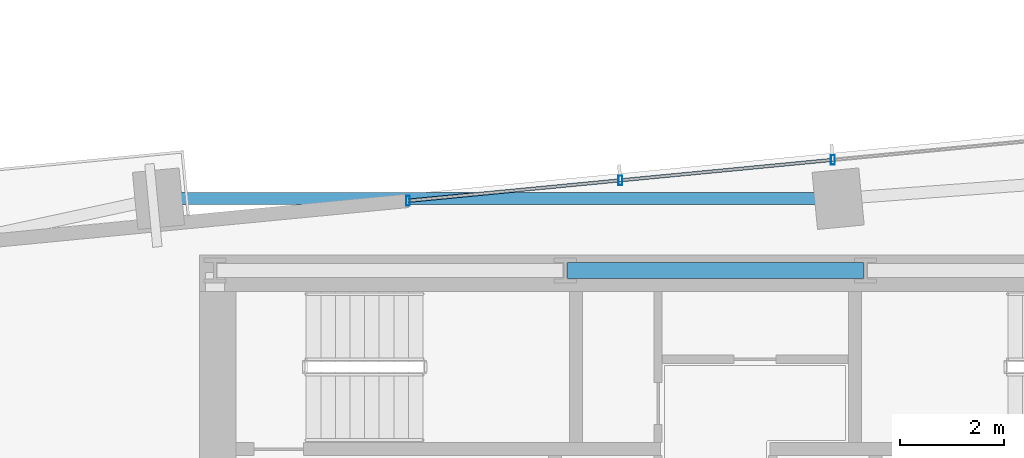
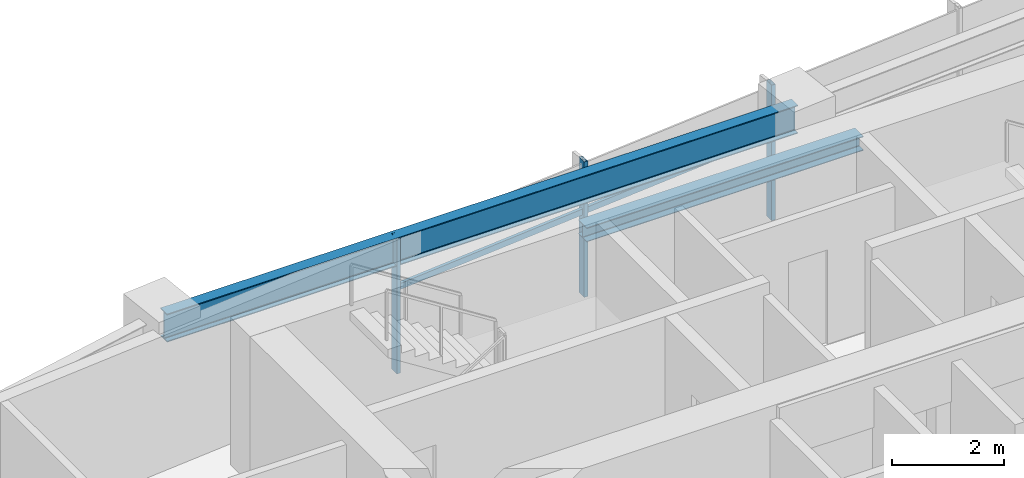
# One storey, part 10 of 25: 5 members, 2 beams, 1 element without a shape of its own.
"""IFC4 building model written with IfcOpenShell, lengths in metres."""

from ifc_helpers import new_model, si_unit, direction, frame, origin, origin_2d, place, context, subcontext, project, spatial, hollow_rectangle, i_section, extrude, source, transform, mapped, material, material_profile, profile_set, type_object, type_shapes, element, aggregate, save


model = new_model("IFC4")

# Units and contexts
model_context = context("Model", 3, precision=1e-05, world=origin(), true_north=direction((0.0, 1.0)))
body_context = subcontext(model_context, "Body", "Model", "MODEL_VIEW")
ifc_project = project(units=[si_unit("LENGTHUNIT", "METRE"), si_unit("AREAUNIT", "SQUARE_METRE"), si_unit("VOLUMEUNIT", "CUBIC_METRE"), si_unit("PLANEANGLEUNIT", "RADIAN"), si_unit("MASSUNIT", "GRAM", prefix="KILO")], contexts=[model_context])

# Site, building, storey
site_placement = place(None, origin())
site = spatial("IfcSite", under=ifc_project, at=site_placement, CompositionType="ELEMENT")
building_placement = place(site_placement, origin())
building = spatial("IfcBuilding", under=site, at=building_placement, Name="Astriad Promenade Condominiums", CompositionType="ELEMENT")
storey_placement = place(building_placement, frame((0.0, 0.0, 103.39990234375)))
storey = spatial("IfcBuildingStorey", under=building, at=storey_placement, Name="L29", CompositionType="ELEMENT", Elevation=103.39990234375)

# Beams
ifc_material_1 = material(Name="Steel ASTM A992 Grade 50", Category="steel")
ifc_material_profile_1 = material_profile(ifc_material_1, i_section(OverallWidth=0.3046875, OverallDepth=0.307861328125, WebThickness=0.010009765625, FlangeThickness=0.015380859375, FilletRadius=0.01513671875, at=origin_2d()), Name="W12X65")
ifc_profile_set_1 = profile_set([ifc_material_profile_1], Name="Steel ASTM A992 Grade 50")
beam_type_1 = type_object("IfcBeamType", Name="STEEL OPENING LINTEL W12X65", PredefinedType="LINTEL", material=ifc_profile_set_1)
shared_shape_1 = source(origin(), body_context, "Body", "SweptSolid", [
    extrude(i_section(OverallWidth=0.3046875, OverallDepth=0.307861328125, WebThickness=0.010009765625, FlangeThickness=0.015380859375, FilletRadius=0.01513671875, at=origin_2d()), origin(), (0.0, 0.0, 1.0), 5.68017578125),
])
type_shapes(beam_type_1, [shared_shape_1])
beam_1_placement = place(storey_placement, frame((33.159912109375, 24.0, 2.7861328125), z_axis=(1.0, 0.0, 0.0), x_axis=(0.0, 1.0, 0.0)))
element("IfcBeam", 1, at=beam_1_placement, inside=storey, type_object=beam_type_1, Name="Core Ring Beam CG-N2-L29", PredefinedType="LINTEL", context=body_context, shape_type="MappedRepresentation", body=[
    mapped(shared_shape_1, transform((0.0, 0.0, 0.0), scale=1.0)),
])
ifc_material_profile_2 = material_profile(ifc_material_1, i_section(OverallWidth=0.22900390625, OverallDepth=0.612060546875, WebThickness=0.011962890625, FlangeThickness=0.01953125, FilletRadius=0.017822265625, at=origin_2d()), Name="W24X84")
ifc_profile_set_2 = profile_set([ifc_material_profile_2], Name="Steel ASTM A992 Grade 50")
beam_type_2 = type_object("IfcBeamType", Name="STEEL SPANDREL BEAM W24X84", PredefinedType="SPANDREL", material=ifc_profile_set_2)
shared_shape_2 = source(origin(), body_context, "Body", "SweptSolid", [
    extrude(i_section(OverallWidth=0.22900390625, OverallDepth=0.612060546875, WebThickness=0.011962890625, FlangeThickness=0.01953125, FilletRadius=0.017822265625, at=origin_2d()), origin(), (0.0, 0.0, 1.0), 12.959716796875),
])
type_shapes(beam_type_2, [shared_shape_2])
beam_2_placement = place(storey_placement, frame((38.314697265625, 25.3798828125, 2.634033203125), z_axis=(-1.0, 0.0, 0.0), x_axis=(0.0, -1.0, 0.0)))
element("IfcBeam", 2, at=beam_2_placement, inside=storey, type_object=beam_type_2, Name="Perimeter Spandrel Beam SP-N2-L29", PredefinedType="SPANDREL", context=body_context, shape_type="MappedRepresentation", body=[
    mapped(shared_shape_2, transform((0.0, 0.0, 0.0), scale=1.0)),
])

# Curtain wall, members
ifc_material_2 = material(Name="Anodised aluminium Black Dark Glass Unitised", Category="aluminium")
curtain_wall_type = type_object("IfcCurtainWallType", Name="CW-B2-DARK", PredefinedType="USERDEFINED", material=ifc_material_2)
curtain_wall_placement = place(storey_placement, origin())
curtain_wall = element("IfcCurtainWall", 3, at=curtain_wall_placement, inside=storey, type_object=curtain_wall_type, Name="CW-L29-N", ObjectType="UNITISED_CURTAIN_WALL", PredefinedType="USERDEFINED")
ifc_material_3 = material(Name="Anodised aluminium 6063-T6 Black", Category="aluminium")
ifc_material_profile_3 = material_profile(ifc_material_3, hollow_rectangle(XDim=0.074951171875, YDim=0.18505859375, WallThickness=0.00439453125, at=origin_2d()), Name="ALU-MUL-75X185")
ifc_profile_set_3 = profile_set([ifc_material_profile_3], Name="Anodised aluminium 6063-T6 Black")
member_type_1 = type_object("IfcMemberType", Name="MUL-ALU-MUL-75X185", PredefinedType="MULLION", material=ifc_profile_set_3)
shared_shape_3 = source(origin(), body_context, "Body", "SweptSolid", [
    extrude(hollow_rectangle(XDim=0.074951171875, YDim=0.18505859375, WallThickness=0.00439453125, at=origin_2d()), origin(), (0.0, 0.0, 1.0), 2.940185546875),
])
type_shapes(member_type_1, [shared_shape_3])
member_1_placement = place(storey_placement, frame((30.101806640625, 25.339599609375, 0.0), z_axis=(0.0, 0.0, 1.0), x_axis=(1.0, 0.0, 0.0)))
member_1 = element("IfcMember", 4, at=member_1_placement, type_object=member_type_1, Name="CW-L29-N-MUL-00", PredefinedType="MULLION", context=body_context, shape_type="MappedRepresentation", body=[
    mapped(shared_shape_3, transform((0.0, 0.0, 0.0), scale=1.0)),
])
member_2_placement = place(storey_placement, frame((34.177734375, 25.732177734375, 0.0), z_axis=(0.0, 0.0, 1.0), x_axis=(1.0, 0.0, 0.0)))
member_2 = element("IfcMember", 5, at=member_2_placement, type_object=member_type_1, Name="CW-L29-N-MUL-01", PredefinedType="MULLION", context=body_context, shape_type="MappedRepresentation", body=[
    mapped(shared_shape_3, transform((0.0, 0.0, 0.0), scale=1.0)),
])
member_3_placement = place(storey_placement, frame((38.25390625, 26.12451171875, 0.0), z_axis=(0.0, 0.0, 1.0), x_axis=(1.0, 0.0, 0.0)))
member_3 = element("IfcMember", 6, at=member_3_placement, type_object=member_type_1, Name="CW-L29-N-MUL-02", PredefinedType="MULLION", context=body_context, shape_type="MappedRepresentation", body=[
    mapped(shared_shape_3, transform((0.0, 0.0, 0.0), scale=1.0)),
])
ifc_material_profile_4 = material_profile(ifc_material_3, hollow_rectangle(XDim=0.06494140625, YDim=0.1298828125, WallThickness=0.00390625, at=origin_2d()), Name="ALU-TRN-65X130")
ifc_profile_set_4 = profile_set([ifc_material_profile_4], Name="Anodised aluminium 6063-T6 Black")
member_type_2 = type_object("IfcMemberType", Name="TRN-ALU-TRN-65X130", PredefinedType="USERDEFINED", material=ifc_profile_set_4)
shared_shape_4 = source(origin(), body_context, "Body", "SweptSolid", [
    extrude(hollow_rectangle(XDim=0.06494140625, YDim=0.1298828125, WallThickness=0.00390625, at=origin_2d()), origin(), (0.0, 0.0, 1.0), 4.0947265625),
])
member_4_placement = place(storey_placement, frame((30.101806640625, 25.339599609375, 1.822998046875), z_axis=(0.995393613612, 0.095872592434, 0.0), x_axis=(-0.095872592434, 0.995393613612, 0.0)))
member_4 = element("IfcMember", 7, at=member_4_placement, type_object=member_type_2, Name="CW-L29-N-TRN-00-0", ObjectType="TRANSOM", PredefinedType="USERDEFINED", context=body_context, shape_type="MappedRepresentation", body=[
    mapped(shared_shape_4, transform((0.0, 0.0, 0.0), scale=1.0)),
])
shared_shape_5 = source(origin(), body_context, "Body", "SweptSolid", [
    extrude(hollow_rectangle(XDim=0.06494140625, YDim=0.1298828125, WallThickness=0.00390625, at=origin_2d()), origin(), (0.0, 0.0, 1.0), 4.094970703125),
])
type_shapes(member_type_2, [shared_shape_4, shared_shape_5])
member_5_placement = place(storey_placement, frame((34.177734375, 25.732177734375, 1.822998046875), z_axis=(0.995399849002, 0.095807831657, 0.0), x_axis=(-0.095807831657, 0.995399849002, 0.0)))
member_5 = element("IfcMember", 8, at=member_5_placement, type_object=member_type_2, Name="CW-L29-N-TRN-01-0", ObjectType="TRANSOM", PredefinedType="USERDEFINED", context=body_context, shape_type="MappedRepresentation", body=[
    mapped(shared_shape_5, transform((0.0, 0.0, 0.0), scale=1.0)),
])
aggregate(curtain_wall, [member_1, member_2, member_3, member_4, member_5])

save(model, "model.ifc")
